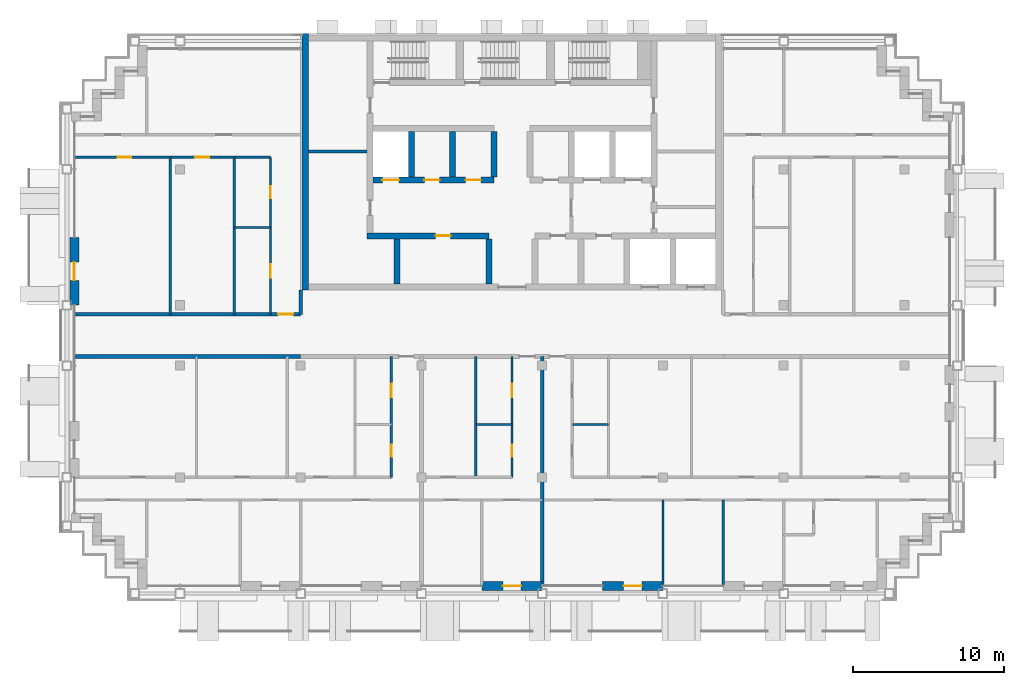
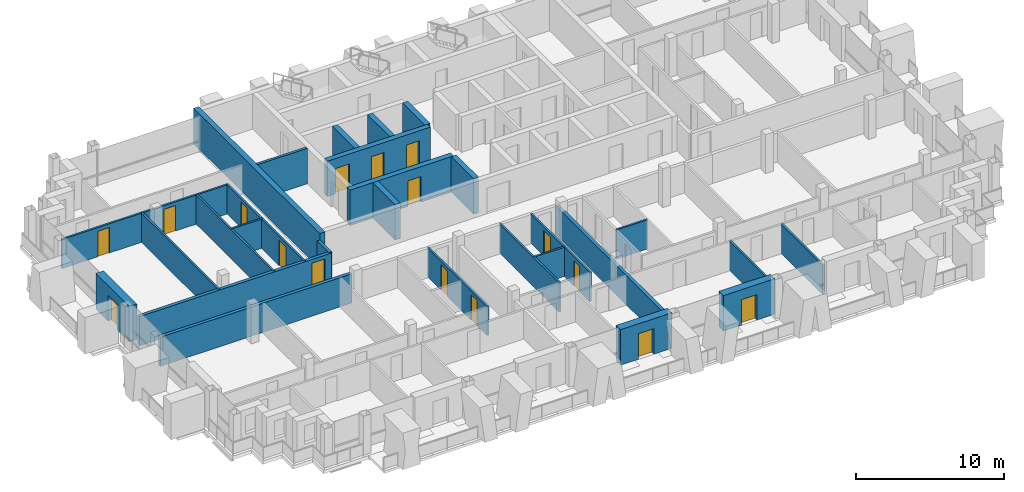
# One storey, part 8 of 16: 28 walls, 16 doors, 16 openings.
"""IFC4 building model written with IfcOpenShell, lengths in metres."""

from ifc_helpers import new_model, si_unit, direction, frame, frame_2d, origin, place, context, subcontext, project, spatial, rectangle, extrude, material, layer, layer_set, type_object, element, fill, save


model = new_model("IFC4")

# Units and contexts
model_context = context("Model", 3, precision=1e-05, world=origin(), true_north=direction((0.0, 1.0)))
body_context = subcontext(model_context, "Body", "Model", "MODEL_VIEW")
ifc_project = project(units=[si_unit("LENGTHUNIT", "METRE"), si_unit("AREAUNIT", "SQUARE_METRE"), si_unit("VOLUMEUNIT", "CUBIC_METRE"), si_unit("PLANEANGLEUNIT", "RADIAN"), si_unit("MASSUNIT", "GRAM", prefix="KILO")], contexts=[model_context])

# Site, building, storey
site_placement = place(None, origin())
site = spatial("IfcSite", under=ifc_project, at=site_placement, CompositionType="ELEMENT")
building_placement = place(site_placement, origin())
building = spatial("IfcBuilding", under=site, at=building_placement, Name="Vidyagriha Tower", CompositionType="ELEMENT")
storey_placement = place(building_placement, frame((0.0, 0.0, 217.199951171875)))
storey = spatial("IfcBuildingStorey", under=building, at=storey_placement, Name="L56", CompositionType="ELEMENT", Elevation=217.199951171875)

# Wall, opening, door
ifc_material_1 = material(Name="Precast concrete C40/50 with brick facing", Category="concrete")
ifc_layer_1 = layer(ifc_material_1, 0.60009765625)
ifc_layer_set_1 = layer_set([ifc_layer_1], Name="Precast concrete C40/50 with brick facing")
wall_type_1 = type_object("IfcWallType", Name="Brick-faced precast wall 600", PredefinedType="STANDARD", material=ifc_layer_set_1)
wall_1_placement = place(storey_placement, frame((-29.0, 6.5, 0.0), z_axis=(0.0, 0.0, 1.0), x_axis=(0.0, -1.0, 0.0)))
wall_1 = element("IfcWall", 1, at=wall_1_placement, inside=storey, type_object=wall_type_1, Name="Brick door bay wall L56 R16.3", PredefinedType="STANDARD", context=body_context, shape_type="SweptSolid", body=[
    extrude(rectangle(XDim=4.5, YDim=0.60009765625, at=frame_2d((2.25, 0.0))), origin(), (0.0, 0.0, 1.0), 2.920166015625),
])
opening_1_placement = place(wall_1_placement, frame((1.64990234375, 0.0, 0.0)))
opening_1 = element("IfcOpeningElement", 2, at=opening_1_placement, cuts=wall_1, Name="Opening D56-59", PredefinedType="OPENING", context=body_context, shape_type="SweptSolid", body=[
    extrude(rectangle(XDim=1.199951171875, YDim=2.10009765625, at=frame_2d((0.60009765625, 1.050048828125))), frame((0.0, 0.31005859375, 0.0), z_axis=(0.0, -1.0, 0.0), x_axis=(1.0, 0.0, 0.0)), (0.0, 0.0, 1.0), 0.6201171875),
])
ifc_material_2 = material(Name="Aluminium framed glazed sliding door", Category="aluminium")
door_type_1 = type_object("IfcDoorType", Name="Balcony sliding door 1200x2100", OperationType="NOTDEFINED", PredefinedType="DOOR", material=ifc_material_2)
door_1_placement = place(opening_1_placement, origin())
door_1 = element("IfcDoor", 3, at=door_1_placement, inside=storey, type_object=door_type_1, Name="Door D56-59", OperationType="SLIDING_TO_LEFT", OverallHeight=2.10009765625, OverallWidth=1.199951171875, PredefinedType="DOOR", context=body_context, shape_type="SweptSolid", body=[
    extrude(rectangle(XDim=1.199951171875, YDim=2.10009765625, at=frame_2d((0.60009765625, 1.050048828125))), frame((0.0, 0.02490234375, 0.0), z_axis=(0.0, -1.0, 0.0), x_axis=(1.0, 0.0, 0.0)), (0.0, 0.0, 1.0), 0.050048828125),
])
fill(opening_1, door_1)

wall_2_placement = place(storey_placement, frame((-2.0, -16.60009765625, 0.0)))
wall_2 = element("IfcWall", 4, at=wall_2_placement, inside=storey, type_object=wall_type_1, Name="Brick door bay wall L56 R23.7", PredefinedType="STANDARD", context=body_context, shape_type="SweptSolid", body=[
    extrude(rectangle(XDim=4.0, YDim=0.60009765625, at=frame_2d((2.0, 0.0))), origin(), (0.0, 0.0, 1.0), 2.920166015625),
])
opening_2_placement = place(wall_2_placement, frame((1.39990234375, 0.0, 0.0)))
opening_2 = element("IfcOpeningElement", 5, at=opening_2_placement, cuts=wall_2, Name="Opening D56-63", PredefinedType="OPENING", context=body_context, shape_type="SweptSolid", body=[
    extrude(rectangle(XDim=1.199951171875, YDim=2.10009765625, at=frame_2d((0.60009765625, 1.050048828125))), frame((0.0, 0.31005859375, 0.0), z_axis=(0.0, -1.0, 0.0), x_axis=(1.0, 0.0, 0.0)), (0.0, 0.0, 1.0), 0.6201171875),
])
door_2_placement = place(opening_2_placement, origin())
door_2 = element("IfcDoor", 6, at=door_2_placement, inside=storey, type_object=door_type_1, Name="Door D56-63", OperationType="SLIDING_TO_LEFT", OverallHeight=2.10009765625, OverallWidth=1.199951171875, PredefinedType="DOOR", context=body_context, shape_type="SweptSolid", body=[
    extrude(rectangle(XDim=1.199951171875, YDim=2.10009765625, at=frame_2d((0.60009765625, 1.050048828125))), frame((0.0, 0.02490234375, 0.0), z_axis=(0.0, -1.0, 0.0), x_axis=(1.0, 0.0, 0.0)), (0.0, 0.0, 1.0), 0.050048828125),
])
fill(opening_2, door_2)

wall_3_placement = place(storey_placement, frame((6.0, -16.60009765625, 0.0)))
wall_3 = element("IfcWall", 7, at=wall_3_placement, inside=storey, type_object=wall_type_1, Name="Brick door bay wall L56 R23.9", PredefinedType="STANDARD", context=body_context, shape_type="SweptSolid", body=[
    extrude(rectangle(XDim=4.0, YDim=0.60009765625, at=frame_2d((2.0, 0.0))), origin(), (0.0, 0.0, 1.0), 2.920166015625),
])
opening_3_placement = place(wall_3_placement, frame((1.39990234375, 0.0, 0.0)))
opening_3 = element("IfcOpeningElement", 8, at=opening_3_placement, cuts=wall_3, Name="Opening D56-64", PredefinedType="OPENING", context=body_context, shape_type="SweptSolid", body=[
    extrude(rectangle(XDim=1.199951171875, YDim=2.10009765625, at=frame_2d((0.60009765625, 1.050048828125))), frame((0.0, 0.31005859375, 0.0), z_axis=(0.0, -1.0, 0.0), x_axis=(1.0, 0.0, 0.0)), (0.0, 0.0, 1.0), 0.6201171875),
])
door_3_placement = place(opening_3_placement, origin())
door_3 = element("IfcDoor", 9, at=door_3_placement, inside=storey, type_object=door_type_1, Name="Door D56-64", OperationType="SLIDING_TO_LEFT", OverallHeight=2.10009765625, OverallWidth=1.199951171875, PredefinedType="DOOR", context=body_context, shape_type="SweptSolid", body=[
    extrude(rectangle(XDim=1.199951171875, YDim=2.10009765625, at=frame_2d((0.60009765625, 1.050048828125))), frame((0.0, 0.02490234375, 0.0), z_axis=(0.0, -1.0, 0.0), x_axis=(1.0, 0.0, 0.0)), (0.0, 0.0, 1.0), 0.050048828125),
])
fill(opening_3, door_3)

# Wall
ifc_material_3 = material(Name="Concrete C60/75", Category="concrete")
ifc_layer_2 = layer(ifc_material_3, 0.39990234375)
ifc_layer_set_2 = layer_set([ifc_layer_2], Name="Concrete C60/75")
wall_type_2 = type_object("IfcWallType", Name="Core shear wall 400 mm", PredefinedType="SHEAR", material=ifc_layer_set_2)
wall_4_placement = place(storey_placement, frame((-13.699951171875, 3.0, 0.0), z_axis=(0.0, 0.0, 1.0), x_axis=(0.0, 1.0, 0.0)))
element("IfcWall", 10, at=wall_4_placement, inside=storey, type_object=wall_type_2, Name="Core west wall", PredefinedType="SHEAR", context=body_context, shape_type="SweptSolid", body=[
    extrude(rectangle(XDim=17.0, YDim=0.39990234375, at=frame_2d((8.5, 0.0))), origin(), (0.0, 0.0, 1.0), 2.920166015625),
])

# Wall, opening, door
wall_5_placement = place(storey_placement, frame((-9.60009765625, 6.60009765625, 0.0)))
wall_5 = element("IfcWall", 11, at=wall_5_placement, inside=storey, type_object=wall_type_2, Name="Core lobby south wall west", PredefinedType="SHEAR", context=body_context, shape_type="SweptSolid", body=[
    extrude(rectangle(XDim=8.077880859375, YDim=0.39990234375, at=frame_2d((4.0390625, 0.0))), origin(), (0.0, 0.0, 1.0), 2.920166015625),
])
opening_4_placement = place(wall_5_placement, frame((4.533203125, 0.0, 0.0)))
opening_4 = element("IfcOpeningElement", 12, at=opening_4_placement, cuts=wall_5, Name="Opening D56-02", PredefinedType="OPENING", context=body_context, shape_type="SweptSolid", body=[
    extrude(rectangle(XDim=1.0, YDim=2.10009765625, at=frame_2d((0.5, 1.050048828125))), frame((0.0, 0.2099609375, 0.0), z_axis=(0.0, -1.0, 0.0), x_axis=(1.0, 0.0, 0.0)), (0.0, 0.0, 1.0), 0.419921875),
])
ifc_material_4 = material(Name="Hollow metal door leaf")
door_type_2 = type_object("IfcDoorType", Name="Core room door 1000 x 2100 mm EI 60", OperationType="NOTDEFINED", PredefinedType="DOOR", material=ifc_material_4)
door_4_placement = place(opening_4_placement, origin())
door_4 = element("IfcDoor", 13, at=door_4_placement, inside=storey, type_object=door_type_2, Name="Door Riser Room 56.01", OperationType="SINGLE_SWING_RIGHT", OverallHeight=2.10009765625, OverallWidth=1.0, PredefinedType="DOOR", context=body_context, shape_type="SweptSolid", body=[
    extrude(rectangle(XDim=1.0, YDim=2.10009765625, at=frame_2d((0.5, 1.050048828125))), frame((0.0, 0.02490234375, 0.0), z_axis=(0.0, -1.0, 0.0), x_axis=(1.0, 0.0, 0.0)), (0.0, 0.0, 1.0), 0.050048828125),
])
fill(opening_4, door_4)

# Walls
for number, where, z_axis, x_axis, name in (
    (14, (-7.611083984375, 3.39990234375, 0.0), (0.0, 0.0, 1.0), (0.0, 1.0, 0.0), "Core bay wall S2"),
    (15, (-1.522216796875, 3.39990234375, 0.0), (0.0, 0.0, 1.0), (0.0, 1.0, 0.0), "Core bay wall S4"),
):
    element("IfcWall", number, at=place(storey_placement, frame(where, z_axis=z_axis, x_axis=x_axis)), inside=storey, type_object=wall_type_2, Name=name, PredefinedType="SHEAR", context=body_context, shape_type="SweptSolid", body=[
        extrude(rectangle(XDim=3.0, YDim=0.39990234375, at=frame_2d((1.5, 0.0))), origin(), (0.0, 0.0, 1.0), 2.920166015625),
    ])

# Wall, openings, doors
wall_6_placement = place(storey_placement, frame((-9.199951171875, 10.300048828125, 0.0)))
wall_6 = element("IfcWall", 16, at=wall_6_placement, inside=storey, type_object=wall_type_2, Name="Core row N front wall", PredefinedType="SHEAR", context=body_context, shape_type="SweptSolid", body=[
    extrude(rectangle(XDim=8.0, YDim=0.39990234375, at=frame_2d((4.0, 0.0))), origin(), (0.0, 0.0, 1.0), 2.920166015625),
])
opening_5_placement = place(wall_6_placement, frame((0.61669921875, 0.0, 0.0)))
opening_5 = element("IfcOpeningElement", 17, at=opening_5_placement, cuts=wall_6, Name="Opening LD56-03", PredefinedType="OPENING", context=body_context, shape_type="SweptSolid", body=[
    extrude(rectangle(XDim=1.10009765625, YDim=2.10009765625, at=frame_2d((0.550048828125, 1.050048828125))), frame((0.0, 0.2099609375, 0.0), z_axis=(0.0, -1.0, 0.0), x_axis=(1.0, 0.0, 0.0)), (0.0, 0.0, 1.0), 0.419921875),
])
opening_6_placement = place(wall_6_placement, frame((3.39990234375, 0.0, 0.0)))
opening_6 = element("IfcOpeningElement", 18, at=opening_6_placement, cuts=wall_6, Name="Opening D56-05", PredefinedType="OPENING", context=body_context, shape_type="SweptSolid", body=[
    extrude(rectangle(XDim=1.0, YDim=2.10009765625, at=frame_2d((0.5, 1.050048828125))), frame((0.0, 0.2099609375, 0.0), z_axis=(0.0, -1.0, 0.0), x_axis=(1.0, 0.0, 0.0)), (0.0, 0.0, 1.0), 0.419921875),
])
opening_7_placement = place(wall_6_placement, frame((6.13330078125, 0.0, 0.0)))
opening_7 = element("IfcOpeningElement", 19, at=opening_7_placement, cuts=wall_6, Name="Opening D56-06", PredefinedType="OPENING", context=body_context, shape_type="SweptSolid", body=[
    extrude(rectangle(XDim=1.0, YDim=2.10009765625, at=frame_2d((0.5, 1.050048828125))), frame((0.0, 0.2099609375, 0.0), z_axis=(0.0, -1.0, 0.0), x_axis=(1.0, 0.0, 0.0)), (0.0, 0.0, 1.0), 0.419921875),
])
door_5_placement = place(opening_6_placement, frame((1.0, 0.0, 0.0), z_axis=(0.0, 0.0, 1.0), x_axis=(-1.0, 0.0, 0.0)))
door_5 = element("IfcDoor", 20, at=door_5_placement, inside=storey, type_object=door_type_2, Name="Door Communications Room 56.14", OperationType="SINGLE_SWING_RIGHT", OverallHeight=2.10009765625, OverallWidth=1.0, PredefinedType="DOOR", context=body_context, shape_type="SweptSolid", body=[
    extrude(rectangle(XDim=1.0, YDim=2.10009765625, at=frame_2d((0.5, 1.050048828125))), frame((0.0, 0.02490234375, 0.0), z_axis=(0.0, -1.0, 0.0), x_axis=(1.0, 0.0, 0.0)), (0.0, 0.0, 1.0), 0.050048828125),
])
fill(opening_6, door_5)
door_6_placement = place(opening_7_placement, frame((1.0, 0.0, 0.0), z_axis=(0.0, 0.0, 1.0), x_axis=(-1.0, 0.0, 0.0)))
door_6 = element("IfcDoor", 21, at=door_6_placement, inside=storey, type_object=door_type_2, Name="Door Refuse Room 56.15", OperationType="SINGLE_SWING_LEFT", OverallHeight=2.10009765625, OverallWidth=1.0, PredefinedType="DOOR", context=body_context, shape_type="SweptSolid", body=[
    extrude(rectangle(XDim=1.0, YDim=2.10009765625, at=frame_2d((0.5, 1.050048828125))), frame((0.0, 0.02490234375, 0.0), z_axis=(0.0, -1.0, 0.0), x_axis=(1.0, 0.0, 0.0)), (0.0, 0.0, 1.0), 0.050048828125),
])
fill(opening_7, door_6)
ifc_material_5 = material(Name="Stainless steel sliding door panel", Category="steel")
door_type_3 = type_object("IfcDoorType", Name="Lift landing door 1100 x 2100 mm EI 90", OperationType="NOTDEFINED", PredefinedType="DOOR", material=ifc_material_5)
door_7_placement = place(opening_5_placement, origin())
door_7 = element("IfcDoor", 22, at=door_7_placement, inside=storey, type_object=door_type_3, Name="Landing door MR3 L56", OperationType="SLIDING_TO_LEFT", OverallHeight=2.10009765625, OverallWidth=1.10009765625, PredefinedType="DOOR", context=body_context, shape_type="SweptSolid", body=[
    extrude(rectangle(XDim=1.10009765625, YDim=2.10009765625, at=frame_2d((0.550048828125, 1.050048828125))), frame((0.0, 0.02490234375, 0.0), z_axis=(0.0, -1.0, 0.0), x_axis=(1.0, 0.0, 0.0)), (0.0, 0.0, 1.0), 0.050048828125),
])
fill(opening_5, door_7)

# Walls
for number, where, z_axis, x_axis, name in (
    (23, (-6.666748046875, 10.5, 0.0), (0.0, 0.0, 1.0), (0.0, 1.0, 0.0), "Core bay wall N1"),
    (24, (-3.933349609375, 10.5, 0.0), (0.0, 0.0, 1.0), (0.0, 1.0, 0.0), "Core bay wall N2"),
    (25, (-1.199951171875, 10.5, 0.0), (0.0, 0.0, 1.0), (0.0, 1.0, 0.0), "Core bay wall N3"),
):
    element("IfcWall", number, at=place(storey_placement, frame(where, z_axis=z_axis, x_axis=x_axis)), inside=storey, type_object=wall_type_2, Name=name, PredefinedType="SHEAR", context=body_context, shape_type="SweptSolid", body=[
        extrude(rectangle(XDim=3.0, YDim=0.39990234375, at=frame_2d((1.5, 0.0))), origin(), (0.0, 0.0, 1.0), 2.920166015625),
    ])
ifc_material_6 = material(Name="Fired clay brick masonry", Category="masonry")
ifc_layer_3 = layer(ifc_material_6, 0.25)
ifc_layer_set_3 = layer_set([ifc_layer_3], Name="Fired clay brick masonry")
wall_type_3 = type_object("IfcWallType", Name="Fired clay brick corridor wall 250", PredefinedType="PARTITIONING", material=ifc_layer_set_3)
wall_7_placement = place(storey_placement, frame((-14.0, -1.39990234375, 0.0), z_axis=(0.0, 0.0, 1.0), x_axis=(-1.0, 0.0, 0.0)))
element("IfcWall", 26, at=wall_7_placement, inside=storey, type_object=wall_type_3, Name="Wall all-L56-w060", PredefinedType="PARTITIONING", context=body_context, shape_type="SweptSolid", body=[
    extrude(rectangle(XDim=14.919921875, YDim=0.25, at=frame_2d((7.4599609375, 0.0))), origin(), (0.0, 0.0, 1.0), 2.400146484375),
])

# Wall, opening, door
wall_8_placement = place(storey_placement, frame((-28.919921875, 1.39990234375, 0.0)))
wall_8 = element("IfcWall", 27, at=wall_8_placement, inside=storey, type_object=wall_type_3, Name="Wall all-L56-w076", PredefinedType="PARTITIONING", context=body_context, shape_type="SweptSolid", body=[
    extrude(rectangle(XDim=14.919921875, YDim=0.25, at=frame_2d((7.4599609375, 0.0))), origin(), (0.0, 0.0, 1.0), 2.400146484375),
])
opening_8_placement = place(wall_8_placement, frame((13.419921875, 0.0, 0.0)))
opening_8 = element("IfcOpeningElement", 28, at=opening_8_placement, cuts=wall_8, Name="Opening D56-51", PredefinedType="OPENING", context=body_context, shape_type="SweptSolid", body=[
    extrude(rectangle(XDim=1.0, YDim=2.10009765625, at=frame_2d((0.5, 1.050048828125))), frame((0.0, 0.135009765625, 0.0), z_axis=(0.0, -1.0, 0.0), x_axis=(1.0, 0.0, 0.0)), (0.0, 0.0, 1.0), 0.27001953125),
])
ifc_material_7 = material(Name="Fire-rated timber door leaf EI 60", Category="wood")
door_type_4 = type_object("IfcDoorType", Name="Flat entrance fire door 1000x2100", OperationType="NOTDEFINED", PredefinedType="DOOR", material=ifc_material_7)
door_8_placement = place(opening_8_placement, origin())
door_8 = element("IfcDoor", 29, at=door_8_placement, inside=storey, type_object=door_type_4, Name="Door D56-51", OperationType="SINGLE_SWING_RIGHT", OverallHeight=2.10009765625, OverallWidth=1.0, PredefinedType="DOOR", context=body_context, shape_type="SweptSolid", body=[
    extrude(rectangle(XDim=1.0, YDim=2.10009765625, at=frame_2d((0.5, 1.050048828125))), frame((0.0, 0.02490234375, 0.0), z_axis=(0.0, -1.0, 0.0), x_axis=(1.0, 0.0, 0.0)), (0.0, 0.0, 1.0), 0.050048828125),
])
fill(opening_8, door_8)

# Walls
wall_9_placement = place(storey_placement, frame((-14.0, 3.0, 0.0), z_axis=(0.0, 0.0, 1.0), x_axis=(0.0, -1.0, 0.0)))
element("IfcWall", 30, at=wall_9_placement, inside=storey, type_object=wall_type_3, Name="Wall all-L56-w093", PredefinedType="PARTITIONING", context=body_context, shape_type="SweptSolid", body=[
    extrude(rectangle(XDim=1.60009765625, YDim=0.25, at=frame_2d((0.800048828125, 0.0))), origin(), (0.0, 0.0, 1.0), 2.400146484375),
])
ifc_material_8 = material(Name="Fired clay brick masonry", Category="masonry")
ifc_layer_4 = layer(ifc_material_8, 0.25)
ifc_layer_set_4 = layer_set([ifc_layer_4], Name="Fired clay brick masonry")
wall_type_4 = type_object("IfcWallType", Name="Fired clay brick demising wall 250", PredefinedType="PARTITIONING", material=ifc_layer_set_4)
wall_10_placement = place(storey_placement, frame((2.0, -1.39990234375, 0.0), z_axis=(0.0, 0.0, 1.0), x_axis=(0.0, -1.0, 0.0)))
element("IfcWall", 31, at=wall_10_placement, inside=storey, type_object=wall_type_4, Name="Wall all-L56-w059", PredefinedType="PARTITIONING", context=body_context, shape_type="SweptSolid", body=[
    extrude(rectangle(XDim=15.110107421875, YDim=0.25, at=frame_2d((7.55517578125, 0.0))), origin(), (0.0, 0.0, 1.0), 2.400146484375),
])
ifc_material_9 = material(Name="Gypsum board partition")
ifc_layer_5 = layer(ifc_material_9, 0.14990234375)
ifc_layer_set_5 = layer_set([ifc_layer_5], Name="Gypsum board partition")
wall_type_5 = type_object("IfcWallType", Name="Gypsum board partition 150", PredefinedType="PARTITIONING", material=ifc_layer_set_5)
wall_11_placement = place(storey_placement, frame((0.0, -5.89990234375, 0.0), z_axis=(0.0, 0.0, 1.0), x_axis=(-1.0, 0.0, 0.0)))
element("IfcWall", 32, at=wall_11_placement, inside=storey, type_object=wall_type_5, Name="Wall all-L56-w024", PredefinedType="PARTITIONING", context=body_context, shape_type="SweptSolid", body=[
    extrude(rectangle(XDim=2.39990234375, YDim=0.14990234375, at=frame_2d((1.199951171875, 0.0))), origin(), (0.0, 0.0, 1.0), 2.400146484375),
])
wall_12_placement = place(storey_placement, frame((-2.39990234375, -9.39990234375, 0.0), z_axis=(0.0, 0.0, 1.0), x_axis=(0.0, 1.0, 0.0)))
element("IfcWall", 33, at=wall_12_placement, inside=storey, type_object=wall_type_5, Name="Wall all-L56-w025", PredefinedType="PARTITIONING", context=body_context, shape_type="SweptSolid", body=[
    extrude(rectangle(XDim=8.0, YDim=0.14990234375, at=frame_2d((4.0, 0.0))), origin(), (0.0, 0.0, 1.0), 2.400146484375),
])
wall_13_placement = place(storey_placement, frame((6.39990234375, -5.89990234375, 0.0), z_axis=(0.0, 0.0, 1.0), x_axis=(-1.0, 0.0, 0.0)))
element("IfcWall", 34, at=wall_13_placement, inside=storey, type_object=wall_type_5, Name="Wall all-L56-w037", PredefinedType="PARTITIONING", context=body_context, shape_type="SweptSolid", body=[
    extrude(rectangle(XDim=2.39990234375, YDim=0.14990234375, at=frame_2d((1.199951171875, 0.0))), origin(), (0.0, 0.0, 1.0), 2.400146484375),
])
wall_14_placement = place(storey_placement, frame((10.0, -10.89990234375, 0.0), z_axis=(0.0, 0.0, 1.0), x_axis=(0.0, -1.0, 0.0)))
element("IfcWall", 35, at=wall_14_placement, inside=storey, type_object=wall_type_5, Name="Wall all-L56-w051", PredefinedType="PARTITIONING", context=body_context, shape_type="SweptSolid", body=[
    extrude(rectangle(XDim=5.610107421875, YDim=0.14990234375, at=frame_2d((2.80517578125, 0.0))), origin(), (0.0, 0.0, 1.0), 2.400146484375),
])
wall_15_placement = place(storey_placement, frame((14.0, -10.89990234375, 0.0), z_axis=(0.0, 0.0, 1.0), x_axis=(0.0, -1.0, 0.0)))
element("IfcWall", 36, at=wall_15_placement, inside=storey, type_object=wall_type_5, Name="Wall all-L56-w052", PredefinedType="PARTITIONING", context=body_context, shape_type="SweptSolid", body=[
    extrude(rectangle(XDim=5.62109375, YDim=0.14990234375, at=frame_2d((2.810546875, 0.0))), origin(), (0.0, 0.0, 1.0), 2.400146484375),
])
wall_16_placement = place(storey_placement, frame((-18.39990234375, 7.14990234375, 0.0)))
element("IfcWall", 37, at=wall_16_placement, inside=storey, type_object=wall_type_5, Name="Wall all-L56-w065", PredefinedType="PARTITIONING", context=body_context, shape_type="SweptSolid", body=[
    extrude(rectangle(XDim=2.39990234375, YDim=0.14990234375, at=frame_2d((1.199951171875, 0.0))), origin(), (0.0, 0.0, 1.0), 2.400146484375),
])
for number, where, z_axis, x_axis, name in (
    (38, (-18.39990234375, 1.39990234375, 0.0), (0.0, 0.0, 1.0), (0.0, 1.0, 0.0), "Wall all-L56-w066"),
    (39, (-22.64990234375, 1.39990234375, 0.0), (0.0, 0.0, 1.0), (0.0, 1.0, 0.0), "Wall all-L56-w067"),
):
    element("IfcWall", number, at=place(storey_placement, frame(where, z_axis=z_axis, x_axis=x_axis)), inside=storey, type_object=wall_type_5, Name=name, PredefinedType="PARTITIONING", context=body_context, shape_type="SweptSolid", body=[
        extrude(rectangle(XDim=10.400146484375, YDim=0.14990234375, at=frame_2d((5.2001953125, 0.0))), origin(), (0.0, 0.0, 1.0), 2.400146484375),
    ])

# Wall, openings, doors
wall_17_placement = place(storey_placement, frame((-16.0, 11.800048828125, 0.0), z_axis=(0.0, 0.0, 1.0), x_axis=(-1.0, 0.0, 0.0)))
wall_17 = element("IfcWall", 40, at=wall_17_placement, inside=storey, type_object=wall_type_5, Name="Wall all-L56-w068", PredefinedType="PARTITIONING", context=body_context, shape_type="SweptSolid", body=[
    extrude(rectangle(XDim=12.919921875, YDim=0.14990234375, at=frame_2d((6.4599609375, 0.0))), origin(), (0.0, 0.0, 1.0), 2.400146484375),
])
opening_9_placement = place(wall_17_placement, frame((4.074951171875, 0.0, 0.0)))
opening_9 = element("IfcOpeningElement", 41, at=opening_9_placement, cuts=wall_17, Name="Opening D56-47", PredefinedType="OPENING", context=body_context, shape_type="SweptSolid", body=[
    extrude(rectangle(XDim=0.89990234375, YDim=2.10009765625, at=frame_2d((0.449951171875, 1.050048828125))), frame((0.0, 0.0849609375, 0.0), z_axis=(0.0, -1.0, 0.0), x_axis=(1.0, 0.0, 0.0)), (0.0, 0.0, 1.0), 0.169921875),
])
opening_10_placement = place(wall_17_placement, frame((9.22509765625, 0.0, 0.0)))
opening_10 = element("IfcOpeningElement", 42, at=opening_10_placement, cuts=wall_17, Name="Opening D56-48", PredefinedType="OPENING", context=body_context, shape_type="SweptSolid", body=[
    extrude(rectangle(XDim=0.89990234375, YDim=2.10009765625, at=frame_2d((0.449951171875, 1.050048828125))), frame((0.0, 0.0849609375, 0.0), z_axis=(0.0, -1.0, 0.0), x_axis=(1.0, 0.0, 0.0)), (0.0, 0.0, 1.0), 0.169921875),
])
ifc_material_10 = material(Name="Timber door leaf", Category="wood")
door_type_5 = type_object("IfcDoorType", Name="Room door 900x2100", OperationType="NOTDEFINED", PredefinedType="DOOR", material=ifc_material_10)
door_9_placement = place(opening_9_placement, origin())
door_9 = element("IfcDoor", 43, at=door_9_placement, inside=storey, type_object=door_type_5, Name="Door D56-47", OperationType="SINGLE_SWING_RIGHT", OverallHeight=2.10009765625, OverallWidth=0.89990234375, PredefinedType="DOOR", context=body_context, shape_type="SweptSolid", body=[
    extrude(rectangle(XDim=0.89990234375, YDim=2.10009765625, at=frame_2d((0.449951171875, 1.050048828125))), frame((0.0, 0.02490234375, 0.0), z_axis=(0.0, -1.0, 0.0), x_axis=(1.0, 0.0, 0.0)), (0.0, 0.0, 1.0), 0.050048828125),
])
fill(opening_9, door_9)
door_10_placement = place(opening_10_placement, origin())
door_10 = element("IfcDoor", 44, at=door_10_placement, inside=storey, type_object=door_type_5, Name="Door D56-48", OperationType="SINGLE_SWING_RIGHT", OverallHeight=2.10009765625, OverallWidth=0.89990234375, PredefinedType="DOOR", context=body_context, shape_type="SweptSolid", body=[
    extrude(rectangle(XDim=0.89990234375, YDim=2.10009765625, at=frame_2d((0.449951171875, 1.050048828125))), frame((0.0, 0.02490234375, 0.0), z_axis=(0.0, -1.0, 0.0), x_axis=(1.0, 0.0, 0.0)), (0.0, 0.0, 1.0), 0.050048828125),
])
fill(opening_10, door_10)

ifc_material_11 = material(Name="Moisture resistant gypsum board partition")
ifc_layer_6 = layer(ifc_material_11, 0.14990234375)
ifc_layer_set_6 = layer_set([ifc_layer_6], Name="Moisture resistant gypsum board partition")
wall_type_6 = type_object("IfcWallType", Name="Gypsum board wet-area partition 150", PredefinedType="PARTITIONING", material=ifc_layer_set_6)
wall_18_placement = place(storey_placement, frame((-8.0, -9.39990234375, 0.0), z_axis=(0.0, 0.0, 1.0), x_axis=(0.0, 1.0, 0.0)))
wall_18 = element("IfcWall", 45, at=wall_18_placement, inside=storey, type_object=wall_type_6, Name="Wall all-L56-w001", PredefinedType="PARTITIONING", context=body_context, shape_type="SweptSolid", body=[
    extrude(rectangle(XDim=8.0, YDim=0.14990234375, at=frame_2d((4.0, 0.0))), origin(), (0.0, 0.0, 1.0), 2.400146484375),
])
opening_11_placement = place(wall_18_placement, frame((5.300048828125, 0.0, 0.0)))
opening_11 = element("IfcOpeningElement", 46, at=opening_11_placement, cuts=wall_18, Name="Opening D56-17", PredefinedType="OPENING", context=body_context, shape_type="SweptSolid", body=[
    extrude(rectangle(XDim=0.89990234375, YDim=2.10009765625, at=frame_2d((0.449951171875, 1.050048828125))), frame((0.0, 0.0849609375, 0.0), z_axis=(0.0, -1.0, 0.0), x_axis=(1.0, 0.0, 0.0)), (0.0, 0.0, 1.0), 0.169921875),
])
opening_12_placement = place(wall_18_placement, frame((1.35009765625, 0.0, 0.0)))
opening_12 = element("IfcOpeningElement", 47, at=opening_12_placement, cuts=wall_18, Name="Opening D56-18", PredefinedType="OPENING", context=body_context, shape_type="SweptSolid", body=[
    extrude(rectangle(XDim=0.800048828125, YDim=2.10009765625, at=frame_2d((0.39990234375, 1.050048828125))), frame((0.0, 0.0849609375, 0.0), z_axis=(0.0, -1.0, 0.0), x_axis=(1.0, 0.0, 0.0)), (0.0, 0.0, 1.0), 0.169921875),
])
ifc_material_12 = material(Name="Timber door leaf", Category="wood")
door_type_6 = type_object("IfcDoorType", Name="Bathroom door 800x2100", OperationType="NOTDEFINED", PredefinedType="DOOR", material=ifc_material_12)
door_11_placement = place(opening_12_placement, origin())
door_11 = element("IfcDoor", 48, at=door_11_placement, inside=storey, type_object=door_type_6, Name="Door D56-18", OperationType="SINGLE_SWING_RIGHT", OverallHeight=2.10009765625, OverallWidth=0.800048828125, PredefinedType="DOOR", context=body_context, shape_type="SweptSolid", body=[
    extrude(rectangle(XDim=0.800048828125, YDim=2.10009765625, at=frame_2d((0.39990234375, 1.050048828125))), frame((0.0, 0.02490234375, 0.0), z_axis=(0.0, -1.0, 0.0), x_axis=(1.0, 0.0, 0.0)), (0.0, 0.0, 1.0), 0.050048828125),
])
fill(opening_12, door_11)
ifc_material_13 = material(Name="Timber door leaf", Category="wood")
door_type_7 = type_object("IfcDoorType", Name="Kitchen door 900x2100", OperationType="NOTDEFINED", PredefinedType="DOOR", material=ifc_material_13)
door_12_placement = place(opening_11_placement, origin())
door_12 = element("IfcDoor", 49, at=door_12_placement, inside=storey, type_object=door_type_7, Name="Door D56-17", OperationType="SINGLE_SWING_LEFT", OverallHeight=2.10009765625, OverallWidth=0.89990234375, PredefinedType="DOOR", context=body_context, shape_type="SweptSolid", body=[
    extrude(rectangle(XDim=0.89990234375, YDim=2.10009765625, at=frame_2d((0.449951171875, 1.050048828125))), frame((0.0, 0.02490234375, 0.0), z_axis=(0.0, -1.0, 0.0), x_axis=(1.0, 0.0, 0.0)), (0.0, 0.0, 1.0), 0.050048828125),
])
fill(opening_11, door_12)

wall_19_placement = place(storey_placement, frame((0.0, -9.39990234375, 0.0), z_axis=(0.0, 0.0, 1.0), x_axis=(0.0, 1.0, 0.0)))
wall_19 = element("IfcWall", 50, at=wall_19_placement, inside=storey, type_object=wall_type_6, Name="Wall all-L56-w021", PredefinedType="PARTITIONING", context=body_context, shape_type="SweptSolid", body=[
    extrude(rectangle(XDim=8.0, YDim=0.14990234375, at=frame_2d((4.0, 0.0))), origin(), (0.0, 0.0, 1.0), 2.400146484375),
])
opening_13_placement = place(wall_19_placement, frame((5.300048828125, 0.0, 0.0)))
opening_13 = element("IfcOpeningElement", 51, at=opening_13_placement, cuts=wall_19, Name="Opening D56-27", PredefinedType="OPENING", context=body_context, shape_type="SweptSolid", body=[
    extrude(rectangle(XDim=0.89990234375, YDim=2.10009765625, at=frame_2d((0.449951171875, 1.050048828125))), frame((0.0, 0.0849609375, 0.0), z_axis=(0.0, -1.0, 0.0), x_axis=(1.0, 0.0, 0.0)), (0.0, 0.0, 1.0), 0.169921875),
])
opening_14_placement = place(wall_19_placement, frame((1.35009765625, 0.0, 0.0)))
opening_14 = element("IfcOpeningElement", 52, at=opening_14_placement, cuts=wall_19, Name="Opening D56-28", PredefinedType="OPENING", context=body_context, shape_type="SweptSolid", body=[
    extrude(rectangle(XDim=0.800048828125, YDim=2.10009765625, at=frame_2d((0.39990234375, 1.050048828125))), frame((0.0, 0.0849609375, 0.0), z_axis=(0.0, -1.0, 0.0), x_axis=(1.0, 0.0, 0.0)), (0.0, 0.0, 1.0), 0.169921875),
])
door_13_placement = place(opening_14_placement, origin())
door_13 = element("IfcDoor", 53, at=door_13_placement, inside=storey, type_object=door_type_6, Name="Door D56-28", OperationType="SINGLE_SWING_RIGHT", OverallHeight=2.10009765625, OverallWidth=0.800048828125, PredefinedType="DOOR", context=body_context, shape_type="SweptSolid", body=[
    extrude(rectangle(XDim=0.800048828125, YDim=2.10009765625, at=frame_2d((0.39990234375, 1.050048828125))), frame((0.0, 0.02490234375, 0.0), z_axis=(0.0, -1.0, 0.0), x_axis=(1.0, 0.0, 0.0)), (0.0, 0.0, 1.0), 0.050048828125),
])
fill(opening_14, door_13)
door_14_placement = place(opening_13_placement, origin())
door_14 = element("IfcDoor", 54, at=door_14_placement, inside=storey, type_object=door_type_7, Name="Door D56-27", OperationType="SINGLE_SWING_LEFT", OverallHeight=2.10009765625, OverallWidth=0.89990234375, PredefinedType="DOOR", context=body_context, shape_type="SweptSolid", body=[
    extrude(rectangle(XDim=0.89990234375, YDim=2.10009765625, at=frame_2d((0.449951171875, 1.050048828125))), frame((0.0, 0.02490234375, 0.0), z_axis=(0.0, -1.0, 0.0), x_axis=(1.0, 0.0, 0.0)), (0.0, 0.0, 1.0), 0.050048828125),
])
fill(opening_13, door_14)

wall_20_placement = place(storey_placement, frame((-16.0, 1.39990234375, 0.0), z_axis=(0.0, 0.0, 1.0), x_axis=(0.0, 1.0, 0.0)))
wall_20 = element("IfcWall", 55, at=wall_20_placement, inside=storey, type_object=wall_type_6, Name="Wall all-L56-w062", PredefinedType="PARTITIONING", context=body_context, shape_type="SweptSolid", body=[
    extrude(rectangle(XDim=10.400146484375, YDim=0.14990234375, at=frame_2d((5.2001953125, 0.0))), origin(), (0.0, 0.0, 1.0), 2.400146484375),
])
opening_15_placement = place(wall_20_placement, frame((2.425048828125, 0.0, 0.0)))
opening_15 = element("IfcOpeningElement", 56, at=opening_15_placement, cuts=wall_20, Name="Opening D56-45", PredefinedType="OPENING", context=body_context, shape_type="SweptSolid", body=[
    extrude(rectangle(XDim=0.89990234375, YDim=2.10009765625, at=frame_2d((0.449951171875, 1.050048828125))), frame((0.0, 0.0849609375, 0.0), z_axis=(0.0, -1.0, 0.0), x_axis=(1.0, 0.0, 0.0)), (0.0, 0.0, 1.0), 0.169921875),
])
opening_16_placement = place(wall_20_placement, frame((7.675048828125, 0.0, 0.0)))
opening_16 = element("IfcOpeningElement", 57, at=opening_16_placement, cuts=wall_20, Name="Opening D56-46", PredefinedType="OPENING", context=body_context, shape_type="SweptSolid", body=[
    extrude(rectangle(XDim=0.800048828125, YDim=2.10009765625, at=frame_2d((0.39990234375, 1.050048828125))), frame((0.0, 0.0849609375, 0.0), z_axis=(0.0, -1.0, 0.0), x_axis=(1.0, 0.0, 0.0)), (0.0, 0.0, 1.0), 0.169921875),
])
door_15_placement = place(opening_16_placement, origin())
door_15 = element("IfcDoor", 58, at=door_15_placement, inside=storey, type_object=door_type_6, Name="Door D56-46", OperationType="SINGLE_SWING_LEFT", OverallHeight=2.10009765625, OverallWidth=0.800048828125, PredefinedType="DOOR", context=body_context, shape_type="SweptSolid", body=[
    extrude(rectangle(XDim=0.800048828125, YDim=2.10009765625, at=frame_2d((0.39990234375, 1.050048828125))), frame((0.0, 0.02490234375, 0.0), z_axis=(0.0, -1.0, 0.0), x_axis=(1.0, 0.0, 0.0)), (0.0, 0.0, 1.0), 0.050048828125),
])
fill(opening_16, door_15)
door_16_placement = place(opening_15_placement, origin())
door_16 = element("IfcDoor", 59, at=door_16_placement, inside=storey, type_object=door_type_7, Name="Door D56-45", OperationType="SINGLE_SWING_RIGHT", OverallHeight=2.10009765625, OverallWidth=0.89990234375, PredefinedType="DOOR", context=body_context, shape_type="SweptSolid", body=[
    extrude(rectangle(XDim=0.89990234375, YDim=2.10009765625, at=frame_2d((0.449951171875, 1.050048828125))), frame((0.0, 0.02490234375, 0.0), z_axis=(0.0, -1.0, 0.0), x_axis=(1.0, 0.0, 0.0)), (0.0, 0.0, 1.0), 0.050048828125),
])
fill(opening_15, door_16)

# Wall
ifc_material_14 = material(Name="Blockwork 15 MPa", Category="masonry")
ifc_layer_7 = layer(ifc_material_14, 0.199951171875)
ifc_layer_set_7 = layer_set([ifc_layer_7], Name="Blockwork 15 MPa")
wall_type_7 = type_object("IfcWallType", Name="Service room partition 200 mm", PredefinedType="PARTITIONING", material=ifc_layer_set_7)
wall_21_placement = place(storey_placement, frame((-13.5, 12.199951171875, 0.0)))
element("IfcWall", 60, at=wall_21_placement, inside=storey, type_object=wall_type_7, Name="Core room partition W1", PredefinedType="PARTITIONING", context=body_context, shape_type="SweptSolid", body=[
    extrude(rectangle(XDim=3.89990234375, YDim=0.199951171875, at=frame_2d((1.949951171875, 0.0))), origin(), (0.0, 0.0, 1.0), 2.920166015625),
])

save(model, "model.ifc")
